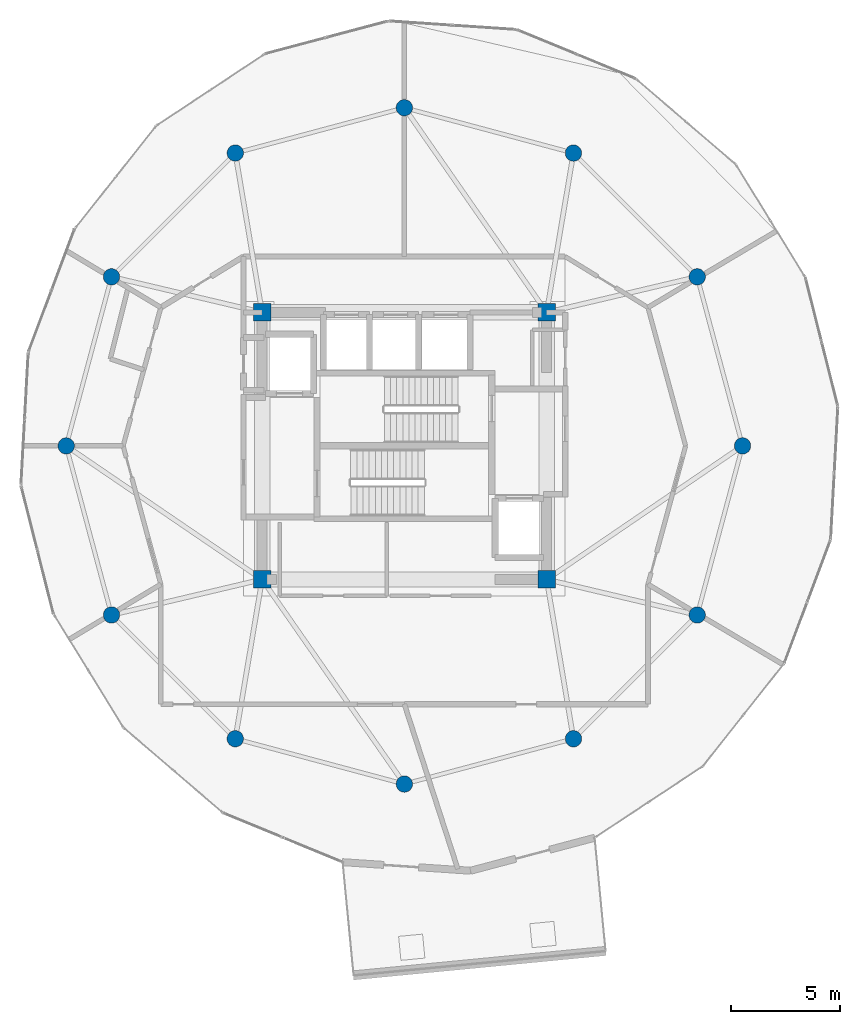
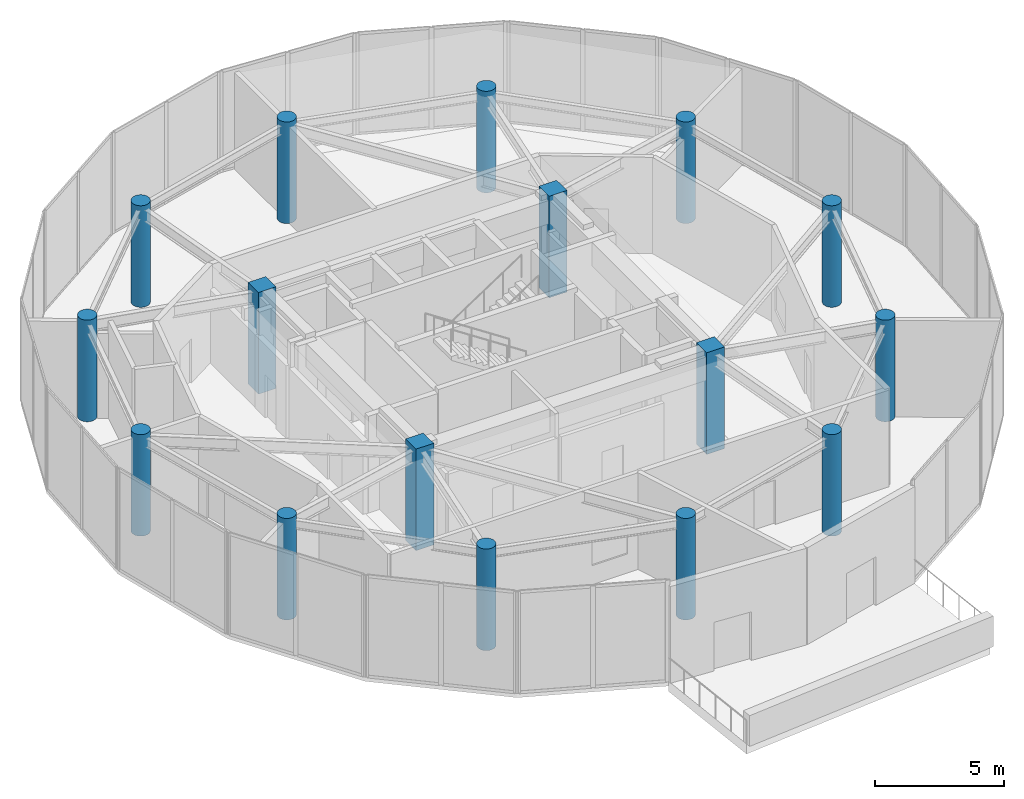
# One storey, part 1 of 21: 16 columns.
"""IFC4 building model written with IfcOpenShell, lengths in metres."""

from ifc_helpers import new_model, si_unit, direction, frame, origin, origin_2d, place, context, subcontext, project, spatial, rectangle, circle, extrude, material, material_profile, profile_set, type_object, element, save


model = new_model("IFC4")

# Units and contexts
model_context = context("Model", 3, precision=1e-05, world=origin(), true_north=direction((0.0, 1.0)))
body_context = subcontext(model_context, "Body", "Model", "MODEL_VIEW")
ifc_project = project(units=[si_unit("LENGTHUNIT", "METRE"), si_unit("AREAUNIT", "SQUARE_METRE"), si_unit("VOLUMEUNIT", "CUBIC_METRE"), si_unit("PLANEANGLEUNIT", "RADIAN"), si_unit("MASSUNIT", "GRAM", prefix="KILO")], contexts=[model_context])

# Site, building, storey
site_placement = place(None, origin())
site = spatial("IfcSite", under=ifc_project, at=site_placement, CompositionType="ELEMENT")
building_placement = place(site_placement, origin())
building = spatial("IfcBuilding", under=site, at=building_placement, Name="Solvirekh Grand Hotel", CompositionType="ELEMENT")
storey_placement = place(building_placement, frame((0.0, 0.0, 262.0)))
storey = spatial("IfcBuildingStorey", under=building, at=storey_placement, Name="L68", CompositionType="ELEMENT", Elevation=262.0)

# Columns
ifc_material = material(Name="Concrete C50/60", Category="concrete")
ifc_material_profile_1 = material_profile(ifc_material, rectangle(XDim=0.800048828125, YDim=0.800048828125, at=origin_2d()), Name="RC 800X800")
ifc_profile_set_1 = profile_set([ifc_material_profile_1], Name="Concrete C50/60")
column_type_1 = type_object("IfcColumnType", Name="Col_Core_800", PredefinedType="COLUMN", material=ifc_profile_set_1)
for number, where, z_axis, x_axis, name in (
    (1, (-6.5, -6.10009765625, 0.0), (0.0, 0.0, 1.0), (1.0, 0.0, 0.0), "L68 core corner column CC1"),
    (2, (6.5, -6.10009765625, 0.0), (0.0, 0.0, 1.0), (1.0, 0.0, 0.0), "L68 core corner column CC2"),
    (3, (6.5, 6.10009765625, 0.0), (0.0, 0.0, 1.0), (1.0, 0.0, 0.0), "L68 core corner column CC3"),
    (4, (-6.5, 6.10009765625, 0.0), (0.0, 0.0, 1.0), (1.0, 0.0, 0.0), "L68 core corner column CC4"),
):
    element("IfcColumn", number, at=place(storey_placement, frame(where, z_axis=z_axis, x_axis=x_axis)), inside=storey, type_object=column_type_1, Name=name, PredefinedType="COLUMN", context=body_context, shape_type="SweptSolid", body=[
        extrude(rectangle(XDim=0.800048828125, YDim=0.800048828125, at=origin_2d()), origin(), (0.0, 0.0, 1.0), 4.800048828125),
    ])
ifc_material_profile_2 = material_profile(ifc_material, circle(Radius=0.375, at=origin_2d()), Name="RC CIRC D750")
ifc_profile_set_2 = profile_set([ifc_material_profile_2], Name="Concrete C50/60")
column_type_2 = type_object("IfcColumnType", Name="Col_Z4_D750", PredefinedType="COLUMN", material=ifc_profile_set_2)
for number, where, z_axis, x_axis, name in (
    (5, (15.449951171875, 0.0, 0.0), (0.0, 0.0, 1.0), (1.0, 0.0, 0.0), "L68 perimeter column P01"),
    (6, (13.3798828125, 7.72509765625, 0.0), (0.0, 0.0, 1.0), (1.0, 0.0, 0.0), "L68 perimeter column P02"),
    (7, (7.72509765625, 13.3798828125, 0.0), (0.0, 0.0, 1.0), (1.0, 0.0, 0.0), "L68 perimeter column P03"),
    (8, (0.0, 15.449951171875, 0.0), (0.0, 0.0, 1.0), (1.0, 0.0, 0.0), "L68 perimeter column P04"),
    (9, (-7.72509765625, 13.3798828125, 0.0), (0.0, 0.0, 1.0), (1.0, 0.0, 0.0), "L68 perimeter column P05"),
    (10, (-13.3798828125, 7.72509765625, 0.0), (0.0, 0.0, 1.0), (1.0, 0.0, 0.0), "L68 perimeter column P06"),
    (11, (-15.449951171875, 0.0, 0.0), (0.0, 0.0, 1.0), (1.0, 0.0, 0.0), "L68 perimeter column P07"),
    (12, (-13.3798828125, -7.72509765625, 0.0), (0.0, 0.0, 1.0), (1.0, 0.0, 0.0), "L68 perimeter column P08"),
    (13, (-7.72509765625, -13.3798828125, 0.0), (0.0, 0.0, 1.0), (1.0, 0.0, 0.0), "L68 perimeter column P09"),
    (14, (0.0, -15.449951171875, 0.0), (0.0, 0.0, 1.0), (1.0, 0.0, 0.0), "L68 perimeter column P10"),
    (15, (7.72509765625, -13.3798828125, 0.0), (0.0, 0.0, 1.0), (1.0, 0.0, 0.0), "L68 perimeter column P11"),
    (16, (13.3798828125, -7.72509765625, 0.0), (0.0, 0.0, 1.0), (1.0, 0.0, 0.0), "L68 perimeter column P12"),
):
    element("IfcColumn", number, at=place(storey_placement, frame(where, z_axis=z_axis, x_axis=x_axis)), inside=storey, type_object=column_type_2, Name=name, PredefinedType="COLUMN", context=body_context, shape_type="SweptSolid", body=[
        extrude(circle(Radius=0.375, at=origin_2d()), origin(), (0.0, 0.0, 1.0), 4.800048828125),
    ])

save(model, "model.ifc")
